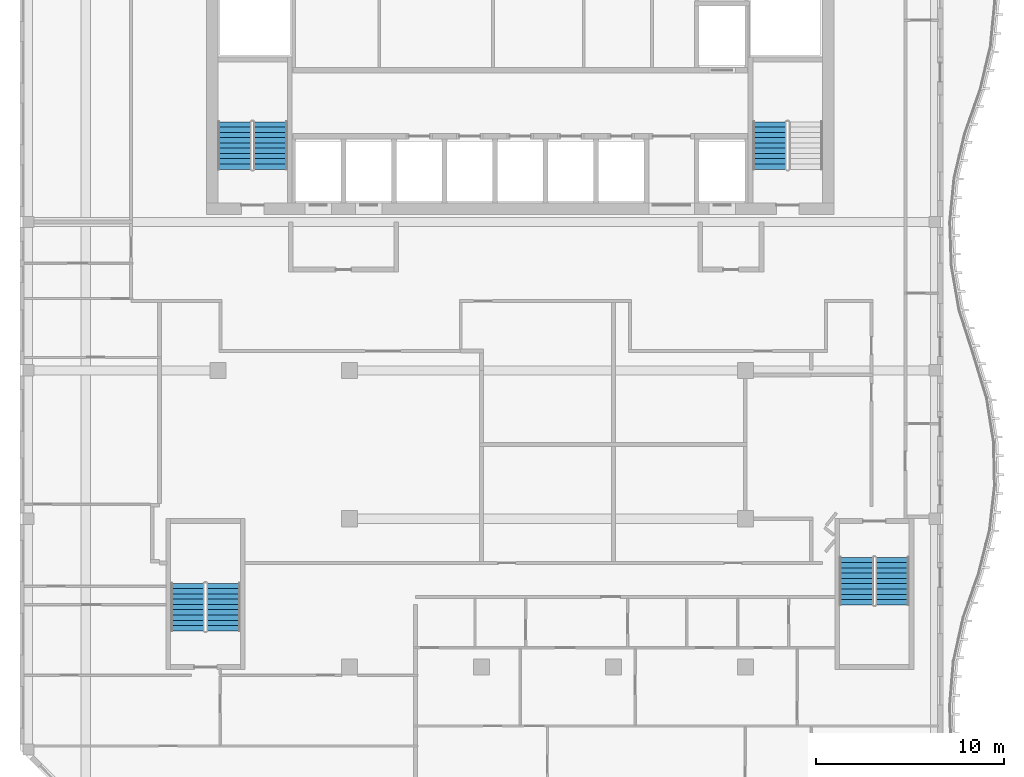
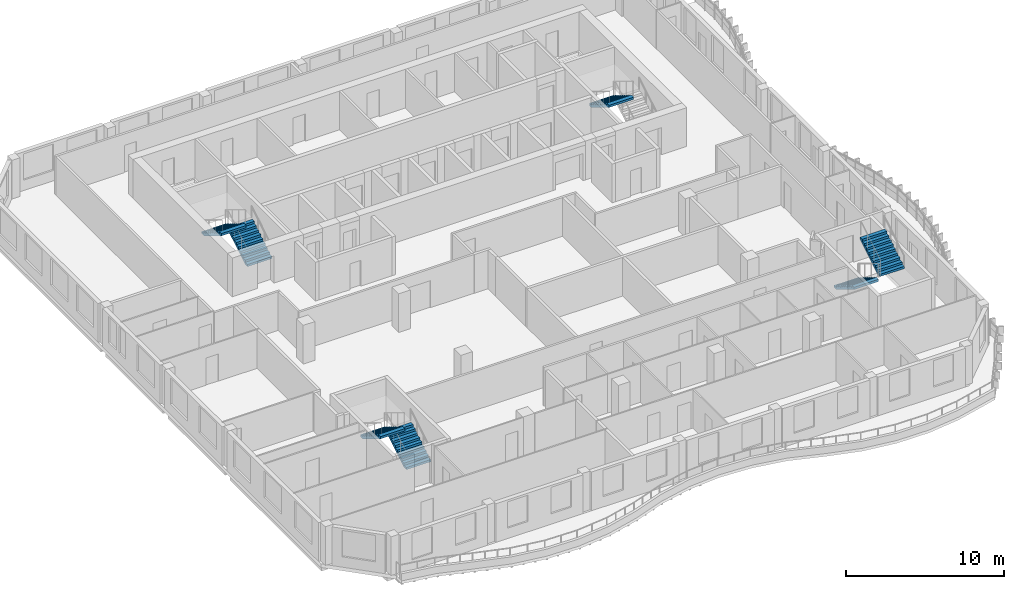
# One storey, part 10 of 14: 7 stair flights, 4 elements without a shape of their own.
"""IFC4 building model written with IfcOpenShell, lengths in metres."""

from ifc_helpers import new_model, si_unit, direction, frame, origin, place, context, subcontext, project, spatial, triangles, source, transform, mapped, material, type_object, element, aggregate, save


model = new_model("IFC4")

# Units and contexts
model_context = context("Model", 3, precision=1e-05, world=origin(), true_north=direction((0.0, 1.0)))
body_context = subcontext(model_context, "Body", "Model", "MODEL_VIEW")
ifc_project = project(units=[si_unit("LENGTHUNIT", "METRE"), si_unit("AREAUNIT", "SQUARE_METRE"), si_unit("VOLUMEUNIT", "CUBIC_METRE"), si_unit("PLANEANGLEUNIT", "RADIAN"), si_unit("MASSUNIT", "GRAM", prefix="KILO")], contexts=[model_context])

# Site, building, storey
site_placement = place(None, origin())
site = spatial("IfcSite", under=ifc_project, at=site_placement, CompositionType="ELEMENT")
building_placement = place(site_placement, origin())
building = spatial("IfcBuilding", under=site, at=building_placement, Name="Kilnfold Tower and Market Hall", CompositionType="ELEMENT")
storey_placement = place(building_placement, frame((0.0, 0.0, 315.39990234375)))
storey = spatial("IfcBuildingStorey", under=building, at=storey_placement, Name="L79", CompositionType="ELEMENT", Elevation=315.39990234375)

# Stair, stair flights
ifc_material_1 = material(Name="Concrete C40/50", Category="concrete")
stair_type = type_object("IfcStairType", Name="CORE STAIR 1800", PredefinedType="HALF_TURN_STAIR", material=ifc_material_1)
stair_1_placement = place(storey_placement, origin())
stair_1 = element("IfcStair", 1, at=stair_1_placement, inside=storey, type_object=stair_type, Name="L79 ST1", PredefinedType="HALF_TURN_STAIR")
ifc_material_2 = material(Name="Concrete C40/50", Category="concrete")
stair_flight_type = type_object("IfcStairFlightType", Name="CORE STAIR FLIGHT 1800", PredefinedType="STRAIGHT", material=ifc_material_2)
shared_shape = source(origin(), body_context, "Body", "Tessellation", [
    triangles([(0.0, 0.89990234375, 0.0), (0.0, 0.78759765625, 0.0), (0.0, 0.675048828125, 0.0), (0.0, 0.5625, 0.0), (0.0, 0.449951171875, 0.0), (0.0, 0.33740234375, 0.0), (0.0, 0.22509765625, 0.0), (0.0, 0.112548828125, 0.0), (0.0, 0.0, 0.0), (0.0, -0.112548828125, 0.0), (0.0, -0.22509765625, 0.0), (0.0, -0.33740234375, 0.0), (0.0, -0.449951171875, 0.0), (0.0, -0.5625, 0.0), (0.0, -0.675048828125, 0.0), (0.0, -0.78759765625, 0.0), (0.0, -0.89990234375, 0.0), (0.0, 0.89990234375, 0.169921875), (0.0, 0.78759765625, 0.169921875), (0.0, 0.675048828125, 0.169921875), (0.0, 0.5625, 0.169921875), (0.0, 0.449951171875, 0.169921875), (0.0, 0.33740234375, 0.169921875), (0.0, 0.22509765625, 0.169921875), (0.0, 0.112548828125, 0.169921875), (0.0, 0.0, 0.169921875), (0.0, -0.112548828125, 0.169921875), (0.0, -0.22509765625, 0.169921875), (0.0, -0.33740234375, 0.169921875), (0.0, -0.449951171875, 0.169921875), (0.0, -0.5625, 0.169921875), (0.0, -0.675048828125, 0.169921875), (0.0, -0.78759765625, 0.169921875), (0.0, -0.89990234375, 0.169921875), (0.280029296875, 0.89990234375, 0.169921875), (0.280029296875, 0.78759765625, 0.169921875), (0.280029296875, 0.675048828125, 0.169921875), (0.280029296875, 0.5625, 0.169921875), (0.280029296875, 0.449951171875, 0.169921875), (0.280029296875, 0.33740234375, 0.169921875), (0.280029296875, 0.22509765625, 0.169921875), (0.280029296875, 0.112548828125, 0.169921875), (0.280029296875, 0.0, 0.169921875), (0.280029296875, -0.112548828125, 0.169921875), (0.280029296875, -0.22509765625, 0.169921875), (0.280029296875, -0.33740234375, 0.169921875), (0.280029296875, -0.449951171875, 0.169921875), (0.280029296875, -0.5625, 0.169921875), (0.280029296875, -0.675048828125, 0.169921875), (0.280029296875, -0.78759765625, 0.169921875), (0.280029296875, -0.89990234375, 0.169921875), (0.280029296875, 0.89990234375, 0.340087890625), (0.280029296875, 0.78759765625, 0.340087890625), (0.280029296875, 0.675048828125, 0.340087890625), (0.280029296875, 0.5625, 0.340087890625), (0.280029296875, 0.449951171875, 0.340087890625), (0.280029296875, 0.33740234375, 0.340087890625), (0.280029296875, 0.22509765625, 0.340087890625), (0.280029296875, 0.112548828125, 0.340087890625), (0.280029296875, 0.0, 0.340087890625), (0.280029296875, -0.112548828125, 0.340087890625), (0.280029296875, -0.22509765625, 0.340087890625), (0.280029296875, -0.33740234375, 0.340087890625), (0.280029296875, -0.449951171875, 0.340087890625), (0.280029296875, -0.5625, 0.340087890625), (0.280029296875, -0.675048828125, 0.340087890625), (0.280029296875, -0.78759765625, 0.340087890625), (0.280029296875, -0.89990234375, 0.340087890625), (0.56005859375, 0.89990234375, 0.340087890625), (0.56005859375, 0.78759765625, 0.340087890625), (0.56005859375, 0.675048828125, 0.340087890625), (0.56005859375, 0.5625, 0.340087890625), (0.56005859375, 0.449951171875, 0.340087890625), (0.56005859375, 0.33740234375, 0.340087890625), (0.56005859375, 0.22509765625, 0.340087890625), (0.56005859375, 0.112548828125, 0.340087890625), (0.56005859375, 0.0, 0.340087890625), (0.56005859375, -0.112548828125, 0.340087890625), (0.56005859375, -0.22509765625, 0.340087890625), (0.56005859375, -0.33740234375, 0.340087890625), (0.56005859375, -0.449951171875, 0.340087890625), (0.56005859375, -0.5625, 0.340087890625), (0.56005859375, -0.675048828125, 0.340087890625), (0.56005859375, -0.78759765625, 0.340087890625), (0.56005859375, -0.89990234375, 0.340087890625), (0.56005859375, 0.89990234375, 0.510009765625), (0.56005859375, 0.78759765625, 0.510009765625), (0.56005859375, 0.675048828125, 0.510009765625), (0.56005859375, 0.5625, 0.510009765625), (0.56005859375, 0.449951171875, 0.510009765625), (0.56005859375, 0.33740234375, 0.510009765625), (0.56005859375, 0.22509765625, 0.510009765625), (0.56005859375, 0.112548828125, 0.510009765625), (0.56005859375, 0.0, 0.510009765625), (0.56005859375, -0.112548828125, 0.510009765625), (0.56005859375, -0.22509765625, 0.510009765625), (0.56005859375, -0.33740234375, 0.510009765625), (0.56005859375, -0.449951171875, 0.510009765625), (0.56005859375, -0.5625, 0.510009765625), (0.56005859375, -0.675048828125, 0.510009765625), (0.56005859375, -0.78759765625, 0.510009765625), (0.56005859375, -0.89990234375, 0.510009765625), (0.840087890625, 0.89990234375, 0.510009765625), (0.840087890625, 0.78759765625, 0.510009765625), (0.840087890625, 0.675048828125, 0.510009765625), (0.840087890625, 0.5625, 0.510009765625), (0.840087890625, 0.449951171875, 0.510009765625), (0.840087890625, 0.33740234375, 0.510009765625), (0.840087890625, 0.22509765625, 0.510009765625), (0.840087890625, 0.112548828125, 0.510009765625), (0.840087890625, 0.0, 0.510009765625), (0.840087890625, -0.112548828125, 0.510009765625), (0.840087890625, -0.22509765625, 0.510009765625), (0.840087890625, -0.33740234375, 0.510009765625), (0.840087890625, -0.449951171875, 0.510009765625), (0.840087890625, -0.5625, 0.510009765625), (0.840087890625, -0.675048828125, 0.510009765625), (0.840087890625, -0.78759765625, 0.510009765625), (0.840087890625, -0.89990234375, 0.510009765625), (0.840087890625, 0.89990234375, 0.679931640625), (0.840087890625, 0.78759765625, 0.679931640625), (0.840087890625, 0.675048828125, 0.679931640625), (0.840087890625, 0.5625, 0.679931640625), (0.840087890625, 0.449951171875, 0.679931640625), (0.840087890625, 0.33740234375, 0.679931640625), (0.840087890625, 0.22509765625, 0.679931640625), (0.840087890625, 0.112548828125, 0.679931640625), (0.840087890625, 0.0, 0.679931640625), (0.840087890625, -0.112548828125, 0.679931640625), (0.840087890625, -0.22509765625, 0.679931640625), (0.840087890625, -0.33740234375, 0.679931640625), (0.840087890625, -0.449951171875, 0.679931640625), (0.840087890625, -0.5625, 0.679931640625), (0.840087890625, -0.675048828125, 0.679931640625), (0.840087890625, -0.78759765625, 0.679931640625), (0.840087890625, -0.89990234375, 0.679931640625), (1.1201171875, 0.89990234375, 0.679931640625), (1.1201171875, 0.78759765625, 0.679931640625), (1.1201171875, 0.675048828125, 0.679931640625), (1.1201171875, 0.5625, 0.679931640625), (1.1201171875, 0.449951171875, 0.679931640625), (1.1201171875, 0.33740234375, 0.679931640625), (1.1201171875, 0.22509765625, 0.679931640625), (1.1201171875, 0.112548828125, 0.679931640625), (1.1201171875, 0.0, 0.679931640625), (1.1201171875, -0.112548828125, 0.679931640625), (1.1201171875, -0.22509765625, 0.679931640625), (1.1201171875, -0.33740234375, 0.679931640625), (1.1201171875, -0.449951171875, 0.679931640625), (1.1201171875, -0.5625, 0.679931640625), (1.1201171875, -0.675048828125, 0.679931640625), (1.1201171875, -0.78759765625, 0.679931640625), (1.1201171875, -0.89990234375, 0.679931640625), (1.1201171875, 0.89990234375, 0.85009765625), (1.1201171875, 0.78759765625, 0.85009765625), (1.1201171875, 0.675048828125, 0.85009765625), (1.1201171875, 0.5625, 0.85009765625), (1.1201171875, 0.449951171875, 0.85009765625), (1.1201171875, 0.33740234375, 0.85009765625), (1.1201171875, 0.22509765625, 0.85009765625), (1.1201171875, 0.112548828125, 0.85009765625), (1.1201171875, 0.0, 0.85009765625), (1.1201171875, -0.112548828125, 0.85009765625), (1.1201171875, -0.22509765625, 0.85009765625), (1.1201171875, -0.33740234375, 0.85009765625), (1.1201171875, -0.449951171875, 0.85009765625), (1.1201171875, -0.5625, 0.85009765625), (1.1201171875, -0.675048828125, 0.85009765625), (1.1201171875, -0.78759765625, 0.85009765625), (1.1201171875, -0.89990234375, 0.85009765625), (1.39990234375, 0.89990234375, 0.85009765625), (1.39990234375, 0.78759765625, 0.85009765625), (1.39990234375, 0.675048828125, 0.85009765625), (1.39990234375, 0.5625, 0.85009765625), (1.39990234375, 0.449951171875, 0.85009765625), (1.39990234375, 0.33740234375, 0.85009765625), (1.39990234375, 0.22509765625, 0.85009765625), (1.39990234375, 0.112548828125, 0.85009765625), (1.39990234375, 0.0, 0.85009765625), (1.39990234375, -0.112548828125, 0.85009765625), (1.39990234375, -0.22509765625, 0.85009765625), (1.39990234375, -0.33740234375, 0.85009765625), (1.39990234375, -0.449951171875, 0.85009765625), (1.39990234375, -0.5625, 0.85009765625), (1.39990234375, -0.675048828125, 0.85009765625), (1.39990234375, -0.78759765625, 0.85009765625), (1.39990234375, -0.89990234375, 0.85009765625), (1.39990234375, 0.89990234375, 1.02001953125), (1.39990234375, 0.78759765625, 1.02001953125), (1.39990234375, 0.675048828125, 1.02001953125), (1.39990234375, 0.5625, 1.02001953125), (1.39990234375, 0.449951171875, 1.02001953125), (1.39990234375, 0.33740234375, 1.02001953125), (1.39990234375, 0.22509765625, 1.02001953125), (1.39990234375, 0.112548828125, 1.02001953125), (1.39990234375, 0.0, 1.02001953125), (1.39990234375, -0.112548828125, 1.02001953125), (1.39990234375, -0.22509765625, 1.02001953125), (1.39990234375, -0.33740234375, 1.02001953125), (1.39990234375, -0.449951171875, 1.02001953125), (1.39990234375, -0.5625, 1.02001953125), (1.39990234375, -0.675048828125, 1.02001953125), (1.39990234375, -0.78759765625, 1.02001953125), (1.39990234375, -0.89990234375, 1.02001953125), (1.679931640625, 0.89990234375, 1.02001953125), (1.679931640625, 0.78759765625, 1.02001953125), (1.679931640625, 0.675048828125, 1.02001953125), (1.679931640625, 0.5625, 1.02001953125), (1.679931640625, 0.449951171875, 1.02001953125), (1.679931640625, 0.33740234375, 1.02001953125), (1.679931640625, 0.22509765625, 1.02001953125), (1.679931640625, 0.112548828125, 1.02001953125), (1.679931640625, 0.0, 1.02001953125), (1.679931640625, -0.112548828125, 1.02001953125), (1.679931640625, -0.22509765625, 1.02001953125), (1.679931640625, -0.33740234375, 1.02001953125), (1.679931640625, -0.449951171875, 1.02001953125), (1.679931640625, -0.5625, 1.02001953125), (1.679931640625, -0.675048828125, 1.02001953125), (1.679931640625, -0.78759765625, 1.02001953125), (1.679931640625, -0.89990234375, 1.02001953125), (1.679931640625, 0.89990234375, 1.18994140625), (1.679931640625, 0.78759765625, 1.18994140625), (1.679931640625, 0.675048828125, 1.18994140625), (1.679931640625, 0.5625, 1.18994140625), (1.679931640625, 0.449951171875, 1.18994140625), (1.679931640625, 0.33740234375, 1.18994140625), (1.679931640625, 0.22509765625, 1.18994140625), (1.679931640625, 0.112548828125, 1.18994140625), (1.679931640625, 0.0, 1.18994140625), (1.679931640625, -0.112548828125, 1.18994140625), (1.679931640625, -0.22509765625, 1.18994140625), (1.679931640625, -0.33740234375, 1.18994140625), (1.679931640625, -0.449951171875, 1.18994140625), (1.679931640625, -0.5625, 1.18994140625), (1.679931640625, -0.675048828125, 1.18994140625), (1.679931640625, -0.78759765625, 1.18994140625), (1.679931640625, -0.89990234375, 1.18994140625), (1.9599609375, 0.89990234375, 1.18994140625), (1.9599609375, 0.78759765625, 1.18994140625), (1.9599609375, 0.675048828125, 1.18994140625), (1.9599609375, 0.5625, 1.18994140625), (1.9599609375, 0.449951171875, 1.18994140625), (1.9599609375, 0.33740234375, 1.18994140625), (1.9599609375, 0.22509765625, 1.18994140625), (1.9599609375, 0.112548828125, 1.18994140625), (1.9599609375, 0.0, 1.18994140625), (1.9599609375, -0.112548828125, 1.18994140625), (1.9599609375, -0.22509765625, 1.18994140625), (1.9599609375, -0.33740234375, 1.18994140625), (1.9599609375, -0.449951171875, 1.18994140625), (1.9599609375, -0.5625, 1.18994140625), (1.9599609375, -0.675048828125, 1.18994140625), (1.9599609375, -0.78759765625, 1.18994140625), (1.9599609375, -0.89990234375, 1.18994140625), (1.9599609375, 0.89990234375, 1.360107421875), (1.9599609375, 0.78759765625, 1.360107421875), (1.9599609375, 0.675048828125, 1.360107421875), (1.9599609375, 0.5625, 1.360107421875), (1.9599609375, 0.449951171875, 1.360107421875), (1.9599609375, 0.33740234375, 1.360107421875), (1.9599609375, 0.22509765625, 1.360107421875), (1.9599609375, 0.112548828125, 1.360107421875), (1.9599609375, 0.0, 1.360107421875), (1.9599609375, -0.112548828125, 1.360107421875), (1.9599609375, -0.22509765625, 1.360107421875), (1.9599609375, -0.33740234375, 1.360107421875), (1.9599609375, -0.449951171875, 1.360107421875), (1.9599609375, -0.5625, 1.360107421875), (1.9599609375, -0.675048828125, 1.360107421875), (1.9599609375, -0.78759765625, 1.360107421875), (1.9599609375, -0.89990234375, 1.360107421875), (2.239990234375, 0.89990234375, 1.360107421875), (2.239990234375, 0.78759765625, 1.360107421875), (2.239990234375, 0.675048828125, 1.360107421875), (2.239990234375, 0.5625, 1.360107421875), (2.239990234375, 0.449951171875, 1.360107421875), (2.239990234375, 0.33740234375, 1.360107421875), (2.239990234375, 0.22509765625, 1.360107421875), (2.239990234375, 0.112548828125, 1.360107421875), (2.239990234375, 0.0, 1.360107421875), (2.239990234375, -0.112548828125, 1.360107421875), (2.239990234375, -0.22509765625, 1.360107421875), (2.239990234375, -0.33740234375, 1.360107421875), (2.239990234375, -0.449951171875, 1.360107421875), (2.239990234375, -0.5625, 1.360107421875), (2.239990234375, -0.675048828125, 1.360107421875), (2.239990234375, -0.78759765625, 1.360107421875), (2.239990234375, -0.89990234375, 1.360107421875), (2.239990234375, 0.89990234375, 1.530029296875), (2.239990234375, 0.78759765625, 1.530029296875), (2.239990234375, 0.675048828125, 1.530029296875), (2.239990234375, 0.5625, 1.530029296875), (2.239990234375, 0.449951171875, 1.530029296875), (2.239990234375, 0.33740234375, 1.530029296875), (2.239990234375, 0.22509765625, 1.530029296875), (2.239990234375, 0.112548828125, 1.530029296875), (2.239990234375, 0.0, 1.530029296875), (2.239990234375, -0.112548828125, 1.530029296875), (2.239990234375, -0.22509765625, 1.530029296875), (2.239990234375, -0.33740234375, 1.530029296875), (2.239990234375, -0.449951171875, 1.530029296875), (2.239990234375, -0.5625, 1.530029296875), (2.239990234375, -0.675048828125, 1.530029296875), (2.239990234375, -0.78759765625, 1.530029296875), (2.239990234375, -0.89990234375, 1.530029296875), (2.52001953125, 0.89990234375, 1.530029296875), (2.52001953125, 0.78759765625, 1.530029296875), (2.52001953125, 0.675048828125, 1.530029296875), (2.52001953125, 0.5625, 1.530029296875), (2.52001953125, 0.449951171875, 1.530029296875), (2.52001953125, 0.33740234375, 1.530029296875), (2.52001953125, 0.22509765625, 1.530029296875), (2.52001953125, 0.112548828125, 1.530029296875), (2.52001953125, 0.0, 1.530029296875), (2.52001953125, -0.112548828125, 1.530029296875), (2.52001953125, -0.22509765625, 1.530029296875), (2.52001953125, -0.33740234375, 1.530029296875), (2.52001953125, -0.449951171875, 1.530029296875), (2.52001953125, -0.5625, 1.530029296875), (2.52001953125, -0.675048828125, 1.530029296875), (2.52001953125, -0.78759765625, 1.530029296875), (2.52001953125, -0.89990234375, 1.530029296875), (2.52001953125, 0.89990234375, 1.354736328125), (2.52001953125, 0.78759765625, 1.354736328125), (2.52001953125, 0.675048828125, 1.354736328125), (2.52001953125, 0.5625, 1.354736328125), (2.52001953125, 0.449951171875, 1.354736328125), (2.52001953125, 0.33740234375, 1.354736328125), (2.52001953125, 0.22509765625, 1.354736328125), (2.52001953125, 0.112548828125, 1.354736328125), (2.52001953125, 0.0, 1.354736328125), (2.52001953125, -0.112548828125, 1.354736328125), (2.52001953125, -0.22509765625, 1.354736328125), (2.52001953125, -0.33740234375, 1.354736328125), (2.52001953125, -0.449951171875, 1.354736328125), (2.52001953125, -0.5625, 1.354736328125), (2.52001953125, -0.675048828125, 1.354736328125), (2.52001953125, -0.78759765625, 1.354736328125), (2.52001953125, -0.89990234375, 1.354736328125), (0.288818359375, 0.89990234375, 0.0), (0.288818359375, 0.78759765625, 0.0), (0.288818359375, 0.675048828125, 0.0), (0.288818359375, 0.5625, 0.0), (0.288818359375, 0.449951171875, 0.0), (0.288818359375, 0.33740234375, 0.0), (0.288818359375, 0.22509765625, 0.0), (0.288818359375, 0.112548828125, 0.0), (0.288818359375, 0.0, 0.0), (0.288818359375, -0.112548828125, 0.0), (0.288818359375, -0.22509765625, 0.0), (0.288818359375, -0.33740234375, 0.0), (0.288818359375, -0.449951171875, 0.0), (0.288818359375, -0.5625, 0.0), (0.288818359375, -0.675048828125, 0.0), (0.288818359375, -0.78759765625, 0.0), (0.288818359375, -0.89990234375, 0.0)], [[1, 324, 341], [17, 357, 340], [324, 290, 307], [340, 323, 306], [324, 273, 290], [340, 306, 289], [324, 256, 273], [340, 289, 272], [324, 239, 256], [340, 272, 255], [239, 205, 222], [255, 238, 221], [324, 205, 239], [340, 255, 221], [205, 171, 188], [221, 204, 187], [324, 171, 205], [340, 221, 187], [171, 137, 154], [187, 170, 153], [324, 137, 171], [340, 187, 153], [137, 103, 120], [153, 136, 119], [324, 103, 137], [340, 153, 119], [103, 69, 86], [119, 102, 85], [324, 69, 103], [340, 119, 85], [69, 35, 52], [85, 68, 51], [324, 35, 69], [340, 85, 51], [1, 35, 324], [17, 340, 51], [35, 1, 18], [51, 34, 17], [1, 19, 18], [1, 2, 19], [2, 20, 19], [2, 3, 20], [3, 21, 20], [3, 4, 21], [4, 22, 21], [4, 5, 22], [5, 23, 22], [5, 6, 23], [6, 24, 23], [6, 7, 24], [7, 25, 24], [7, 8, 25], [8, 26, 25], [8, 9, 26], [9, 27, 26], [9, 10, 27], [10, 28, 27], [10, 11, 28], [11, 29, 28], [11, 12, 29], [12, 30, 29], [12, 13, 30], [13, 31, 30], [13, 14, 31], [14, 32, 31], [14, 15, 32], [15, 33, 32], [15, 16, 33], [16, 34, 33], [16, 17, 34], [18, 36, 35], [18, 19, 36], [19, 37, 36], [19, 20, 37], [20, 38, 37], [20, 21, 38], [21, 39, 38], [21, 22, 39], [22, 40, 39], [22, 23, 40], [23, 41, 40], [23, 24, 41], [24, 42, 41], [24, 25, 42], [25, 43, 42], [25, 26, 43], [26, 44, 43], [26, 27, 44], [27, 45, 44], [27, 28, 45], [28, 46, 45], [28, 29, 46], [29, 47, 46], [29, 30, 47], [30, 48, 47], [30, 31, 48], [31, 49, 48], [31, 32, 49], [32, 50, 49], [32, 33, 50], [33, 51, 50], [33, 34, 51], [35, 53, 52], [35, 36, 53], [36, 54, 53], [36, 37, 54], [37, 55, 54], [37, 38, 55], [38, 56, 55], [38, 39, 56], [39, 57, 56], [39, 40, 57], [40, 58, 57], [40, 41, 58], [41, 59, 58], [41, 42, 59], [42, 60, 59], [42, 43, 60], [43, 61, 60], [43, 44, 61], [44, 62, 61], [44, 45, 62], [45, 63, 62], [45, 46, 63], [46, 64, 63], [46, 47, 64], [47, 65, 64], [47, 48, 65], [48, 66, 65], [48, 49, 66], [49, 67, 66], [49, 50, 67], [50, 68, 67], [50, 51, 68], [52, 70, 69], [52, 53, 70], [53, 71, 70], [53, 54, 71], [54, 72, 71], [54, 55, 72], [55, 73, 72], [55, 56, 73], [56, 74, 73], [56, 57, 74], [57, 75, 74], [57, 58, 75], [58, 76, 75], [58, 59, 76], [59, 77, 76], [59, 60, 77], [60, 78, 77], [60, 61, 78], [61, 79, 78], [61, 62, 79], [62, 80, 79], [62, 63, 80], [63, 81, 80], [63, 64, 81], [64, 82, 81], [64, 65, 82], [65, 83, 82], [65, 66, 83], [66, 84, 83], [66, 67, 84], [67, 85, 84], [67, 68, 85], [69, 87, 86], [69, 70, 87], [70, 88, 87], [70, 71, 88], [71, 89, 88], [71, 72, 89], [72, 90, 89], [72, 73, 90], [73, 91, 90], [73, 74, 91], [74, 92, 91], [74, 75, 92], [75, 93, 92], [75, 76, 93], [76, 94, 93], [76, 77, 94], [77, 95, 94], [77, 78, 95], [78, 96, 95], [78, 79, 96], [79, 97, 96], [79, 80, 97], [80, 98, 97], [80, 81, 98], [81, 99, 98], [81, 82, 99], [82, 100, 99], [82, 83, 100], [83, 101, 100], [83, 84, 101], [84, 102, 101], [84, 85, 102], [86, 104, 103], [86, 87, 104], [87, 105, 104], [87, 88, 105], [88, 106, 105], [88, 89, 106], [89, 107, 106], [89, 90, 107], [90, 108, 107], [90, 91, 108], [91, 109, 108], [91, 92, 109], [92, 110, 109], [92, 93, 110], [93, 111, 110], [93, 94, 111], [94, 112, 111], [94, 95, 112], [95, 113, 112], [95, 96, 113], [96, 114, 113], [96, 97, 114], [97, 115, 114], [97, 98, 115], [98, 116, 115], [98, 99, 116], [99, 117, 116], [99, 100, 117], [100, 118, 117], [100, 101, 118], [101, 119, 118], [101, 102, 119], [103, 121, 120], [103, 104, 121], [104, 122, 121], [104, 105, 122], [105, 123, 122], [105, 106, 123], [106, 124, 123], [106, 107, 124], [107, 125, 124], [107, 108, 125], [108, 126, 125], [108, 109, 126], [109, 127, 126], [109, 110, 127], [110, 128, 127], [110, 111, 128], [111, 129, 128], [111, 112, 129], [112, 130, 129], [112, 113, 130], [113, 131, 130], [113, 114, 131], [114, 132, 131], [114, 115, 132], [115, 133, 132], [115, 116, 133], [116, 134, 133], [116, 117, 134], [117, 135, 134], [117, 118, 135], [118, 136, 135], [118, 119, 136], [120, 138, 137], [120, 121, 138], [121, 139, 138], [121, 122, 139], [122, 140, 139], [122, 123, 140], [123, 141, 140], [123, 124, 141], [124, 142, 141], [124, 125, 142], [125, 143, 142], [125, 126, 143], [126, 144, 143], [126, 127, 144], [127, 145, 144], [127, 128, 145], [128, 146, 145], [128, 129, 146], [129, 147, 146], [129, 130, 147], [130, 148, 147], [130, 131, 148], [131, 149, 148], [131, 132, 149], [132, 150, 149], [132, 133, 150], [133, 151, 150], [133, 134, 151], [134, 152, 151], [134, 135, 152], [135, 153, 152], [135, 136, 153], [137, 155, 154], [137, 138, 155], [138, 156, 155], [138, 139, 156], [139, 157, 156], [139, 140, 157], [140, 158, 157], [140, 141, 158], [141, 159, 158], [141, 142, 159], [142, 160, 159], [142, 143, 160], [143, 161, 160], [143, 144, 161], [144, 162, 161], [144, 145, 162], [145, 163, 162], [145, 146, 163], [146, 164, 163], [146, 147, 164], [147, 165, 164], [147, 148, 165], [148, 166, 165], [148, 149, 166], [149, 167, 166], [149, 150, 167], [150, 168, 167], [150, 151, 168], [151, 169, 168], [151, 152, 169], [152, 170, 169], [152, 153, 170], [154, 172, 171], [154, 155, 172], [155, 173, 172], [155, 156, 173], [156, 174, 173], [156, 157, 174], [157, 175, 174], [157, 158, 175], [158, 176, 175], [158, 159, 176], [159, 177, 176], [159, 160, 177], [160, 178, 177], [160, 161, 178], [161, 179, 178], [161, 162, 179], [162, 180, 179], [162, 163, 180], [163, 181, 180], [163, 164, 181], [164, 182, 181], [164, 165, 182], [165, 183, 182], [165, 166, 183], [166, 184, 183], [166, 167, 184], [167, 185, 184], [167, 168, 185], [168, 186, 185], [168, 169, 186], [169, 187, 186], [169, 170, 187], [171, 189, 188], [171, 172, 189], [172, 190, 189], [172, 173, 190], [173, 191, 190], [173, 174, 191], [174, 192, 191], [174, 175, 192], [175, 193, 192], [175, 176, 193], [176, 194, 193], [176, 177, 194], [177, 195, 194], [177, 178, 195], [178, 196, 195], [178, 179, 196], [179, 197, 196], [179, 180, 197], [180, 198, 197], [180, 181, 198], [181, 199, 198], [181, 182, 199], [182, 200, 199], [182, 183, 200], [183, 201, 200], [183, 184, 201], [184, 202, 201], [184, 185, 202], [185, 203, 202], [185, 186, 203], [186, 204, 203], [186, 187, 204], [188, 206, 205], [188, 189, 206], [189, 207, 206], [189, 190, 207], [190, 208, 207], [190, 191, 208], [191, 209, 208], [191, 192, 209], [192, 210, 209], [192, 193, 210], [193, 211, 210], [193, 194, 211], [194, 212, 211], [194, 195, 212], [195, 213, 212], [195, 196, 213], [196, 214, 213], [196, 197, 214], [197, 215, 214], [197, 198, 215], [198, 216, 215], [198, 199, 216], [199, 217, 216], [199, 200, 217], [200, 218, 217], [200, 201, 218], [201, 219, 218], [201, 202, 219], [202, 220, 219], [202, 203, 220], [203, 221, 220], [203, 204, 221], [205, 223, 222], [205, 206, 223], [206, 224, 223], [206, 207, 224], [207, 225, 224], [207, 208, 225], [208, 226, 225], [208, 209, 226], [209, 227, 226], [209, 210, 227], [210, 228, 227], [210, 211, 228], [211, 229, 228], [211, 212, 229], [212, 230, 229], [212, 213, 230], [213, 231, 230], [213, 214, 231], [214, 232, 231], [214, 215, 232], [215, 233, 232], [215, 216, 233], [216, 234, 233], [216, 217, 234], [217, 235, 234], [217, 218, 235], [218, 236, 235], [218, 219, 236], [219, 237, 236], [219, 220, 237], [220, 238, 237], [220, 221, 238], [222, 240, 239], [222, 223, 240], [223, 241, 240], [223, 224, 241], [224, 242, 241], [224, 225, 242], [225, 243, 242], [225, 226, 243], [226, 244, 243], [226, 227, 244], [227, 245, 244], [227, 228, 245], [228, 246, 245], [228, 229, 246], [229, 247, 246], [229, 230, 247], [230, 248, 247], [230, 231, 248], [231, 249, 248], [231, 232, 249], [232, 250, 249], [232, 233, 250], [233, 251, 250], [233, 234, 251], [234, 252, 251], [234, 235, 252], [235, 253, 252], [235, 236, 253], [236, 254, 253], [236, 237, 254], [237, 255, 254], [237, 238, 255], [239, 257, 256], [239, 240, 257], [240, 258, 257], [240, 241, 258], [241, 259, 258], [241, 242, 259], [242, 260, 259], [242, 243, 260], [243, 261, 260], [243, 244, 261], [244, 262, 261], [244, 245, 262], [245, 263, 262], [245, 246, 263], [246, 264, 263], [246, 247, 264], [247, 265, 264], [247, 248, 265], [248, 266, 265], [248, 249, 266], [249, 267, 266], [249, 250, 267], [250, 268, 267], [250, 251, 268], [251, 269, 268], [251, 252, 269], [252, 270, 269], [252, 253, 270], [253, 271, 270], [253, 254, 271], [254, 272, 271], [254, 255, 272], [256, 274, 273], [256, 257, 274], [257, 275, 274], [257, 258, 275], [258, 276, 275], [258, 259, 276], [259, 277, 276], [259, 260, 277], [260, 278, 277], [260, 261, 278], [261, 279, 278], [261, 262, 279], [262, 280, 279], [262, 263, 280], [263, 281, 280], [263, 264, 281], [264, 282, 281], [264, 265, 282], [265, 283, 282], [265, 266, 283], [266, 284, 283], [266, 267, 284], [267, 285, 284], [267, 268, 285], [268, 286, 285], [268, 269, 286], [269, 287, 286], [269, 270, 287], [270, 288, 287], [270, 271, 288], [271, 289, 288], [271, 272, 289], [273, 291, 290], [273, 274, 291], [274, 292, 291], [274, 275, 292], [275, 293, 292], [275, 276, 293], [276, 294, 293], [276, 277, 294], [277, 295, 294], [277, 278, 295], [278, 296, 295], [278, 279, 296], [279, 297, 296], [279, 280, 297], [280, 298, 297], [280, 281, 298], [281, 299, 298], [281, 282, 299], [282, 300, 299], [282, 283, 300], [283, 301, 300], [283, 284, 301], [284, 302, 301], [284, 285, 302], [285, 303, 302], [285, 286, 303], [286, 304, 303], [286, 287, 304], [287, 305, 304], [287, 288, 305], [288, 306, 305], [288, 289, 306], [290, 308, 307], [290, 291, 308], [291, 309, 308], [291, 292, 309], [292, 310, 309], [292, 293, 310], [293, 311, 310], [293, 294, 311], [294, 312, 311], [294, 295, 312], [295, 313, 312], [295, 296, 313], [296, 314, 313], [296, 297, 314], [297, 315, 314], [297, 298, 315], [298, 316, 315], [298, 299, 316], [299, 317, 316], [299, 300, 317], [300, 318, 317], [300, 301, 318], [301, 319, 318], [301, 302, 319], [302, 320, 319], [302, 303, 320], [303, 321, 320], [303, 304, 321], [304, 322, 321], [304, 305, 322], [305, 323, 322], [305, 306, 323], [307, 325, 324], [307, 308, 325], [308, 326, 325], [308, 309, 326], [309, 327, 326], [309, 310, 327], [310, 328, 327], [310, 311, 328], [311, 329, 328], [311, 312, 329], [312, 330, 329], [312, 313, 330], [313, 331, 330], [313, 314, 331], [314, 332, 331], [314, 315, 332], [315, 333, 332], [315, 316, 333], [316, 334, 333], [316, 317, 334], [317, 335, 334], [317, 318, 335], [318, 336, 335], [318, 319, 336], [319, 337, 336], [319, 320, 337], [320, 338, 337], [320, 321, 338], [321, 339, 338], [321, 322, 339], [322, 340, 339], [322, 323, 340], [324, 342, 341], [324, 325, 342], [325, 343, 342], [325, 326, 343], [326, 344, 343], [326, 327, 344], [327, 345, 344], [327, 328, 345], [328, 346, 345], [328, 329, 346], [329, 347, 346], [329, 330, 347], [330, 348, 347], [330, 331, 348], [331, 349, 348], [331, 332, 349], [332, 350, 349], [332, 333, 350], [333, 351, 350], [333, 334, 351], [334, 352, 351], [334, 335, 352], [335, 353, 352], [335, 336, 353], [336, 354, 353], [336, 337, 354], [337, 355, 354], [337, 338, 355], [338, 356, 355], [338, 339, 356], [339, 357, 356], [339, 340, 357], [341, 2, 1], [341, 342, 2], [342, 3, 2], [342, 343, 3], [343, 4, 3], [343, 344, 4], [344, 5, 4], [344, 345, 5], [345, 6, 5], [345, 346, 6], [346, 7, 6], [346, 347, 7], [347, 8, 7], [347, 348, 8], [348, 9, 8], [348, 349, 9], [349, 10, 9], [349, 350, 10], [350, 11, 10], [350, 351, 11], [351, 12, 11], [351, 352, 12], [352, 13, 12], [352, 353, 13], [353, 14, 13], [353, 354, 14], [354, 15, 14], [354, 355, 15], [355, 16, 15], [355, 356, 16], [356, 17, 16], [356, 357, 17]], closed=True),
])
stair_flight_1_placement = place(storey_placement, frame((-12.199951171875, 10.800048828125, 0.0), z_axis=(0.0, 0.0, 1.0), x_axis=(0.0, 1.0, 0.0)))
stair_flight_1 = element("IfcStairFlight", 2, at=stair_flight_1_placement, type_object=stair_flight_type, Name="ST1 flight 1", NumberOfRisers=10, NumberOfTreads=9, PredefinedType="STRAIGHT", RiserHeight=0.17, TreadLength=0.28, context=body_context, shape_type="MappedRepresentation", body=[
    mapped(shared_shape, transform((0.0, 0.0, 0.0))),
])
stair_flight_2_placement = place(storey_placement, frame((-14.10009765625, 13.320068359375, 1.7001953125), z_axis=(0.0, 0.0, 1.0), x_axis=(0.0, -1.0, 0.0)))
stair_flight_2 = element("IfcStairFlight", 3, at=stair_flight_2_placement, type_object=stair_flight_type, Name="ST1 flight 2", NumberOfRisers=10, NumberOfTreads=9, PredefinedType="STRAIGHT", RiserHeight=0.17, TreadLength=0.28, context=body_context, shape_type="MappedRepresentation", body=[
    mapped(shared_shape, transform((0.0, 0.0, 0.0))),
])
aggregate(stair_1, [stair_flight_1, stair_flight_2])

# Stair, stair flight
stair_2_placement = place(storey_placement, origin())
stair_2 = element("IfcStair", 4, at=stair_2_placement, inside=storey, type_object=stair_type, Name="L79 ST2", PredefinedType="HALF_TURN_STAIR")
stair_flight_3_placement = place(storey_placement, frame((14.300048828125, 13.320068359375, 1.7001953125), z_axis=(0.0, 0.0, 1.0), x_axis=(0.0, -1.0, 0.0)))
stair_flight_3 = element("IfcStairFlight", 5, at=stair_flight_3_placement, type_object=stair_flight_type, Name="ST2 flight 2", NumberOfRisers=10, NumberOfTreads=9, PredefinedType="STRAIGHT", RiserHeight=0.17, TreadLength=0.28, context=body_context, shape_type="MappedRepresentation", body=[
    mapped(shared_shape, transform((0.0, 0.0, 0.0))),
])
aggregate(stair_2, [stair_flight_3])

# Stair, stair flights
stair_3_placement = place(storey_placement, origin())
stair_3 = element("IfcStair", 6, at=stair_3_placement, inside=storey, type_object=stair_type, Name="L79 ST3", PredefinedType="HALF_TURN_STAIR")
stair_flight_4_placement = place(storey_placement, frame((-14.699951171875, -13.699951171875, 0.0), z_axis=(0.0, 0.0, 1.0), x_axis=(0.0, 1.0, 0.0)))
stair_flight_4 = element("IfcStairFlight", 7, at=stair_flight_4_placement, type_object=stair_flight_type, Name="ST3 flight 1", NumberOfRisers=10, NumberOfTreads=9, PredefinedType="STRAIGHT", RiserHeight=0.17, TreadLength=0.28, context=body_context, shape_type="MappedRepresentation", body=[
    mapped(shared_shape, transform((0.0, 0.0, 0.0))),
])
stair_flight_5_placement = place(storey_placement, frame((-16.60009765625, -11.179931640625, 1.7001953125), z_axis=(0.0, 0.0, 1.0), x_axis=(0.0, -1.0, 0.0)))
stair_flight_5 = element("IfcStairFlight", 8, at=stair_flight_5_placement, type_object=stair_flight_type, Name="ST3 flight 2", NumberOfRisers=10, NumberOfTreads=9, PredefinedType="STRAIGHT", RiserHeight=0.17, TreadLength=0.28, context=body_context, shape_type="MappedRepresentation", body=[
    mapped(shared_shape, transform((0.0, 0.0, 0.0))),
])
aggregate(stair_3, [stair_flight_4, stair_flight_5])

stair_4_placement = place(storey_placement, origin())
stair_4 = element("IfcStair", 9, at=stair_4_placement, inside=storey, type_object=stair_type, Name="L79 ST4", PredefinedType="HALF_TURN_STAIR")
stair_flight_6_placement = place(storey_placement, frame((18.89990234375, -9.800048828125, 0.0), z_axis=(0.0, 0.0, 1.0), x_axis=(0.0, -1.0, 0.0)))
stair_flight_6 = element("IfcStairFlight", 10, at=stair_flight_6_placement, type_object=stair_flight_type, Name="ST4 flight 1", NumberOfRisers=10, NumberOfTreads=9, PredefinedType="STRAIGHT", RiserHeight=0.17, TreadLength=0.28, context=body_context, shape_type="MappedRepresentation", body=[
    mapped(shared_shape, transform((0.0, 0.0, 0.0))),
])
stair_flight_7_placement = place(storey_placement, frame((20.800048828125, -12.320068359375, 1.7001953125), z_axis=(0.0, 0.0, 1.0), x_axis=(0.0, 1.0, 0.0)))
stair_flight_7 = element("IfcStairFlight", 11, at=stair_flight_7_placement, type_object=stair_flight_type, Name="ST4 flight 2", NumberOfRisers=10, NumberOfTreads=9, PredefinedType="STRAIGHT", RiserHeight=0.17, TreadLength=0.28, context=body_context, shape_type="MappedRepresentation", body=[
    mapped(shared_shape, transform((0.0, 0.0, 0.0))),
])
aggregate(stair_4, [stair_flight_6, stair_flight_7])

save(model, "model.ifc")
